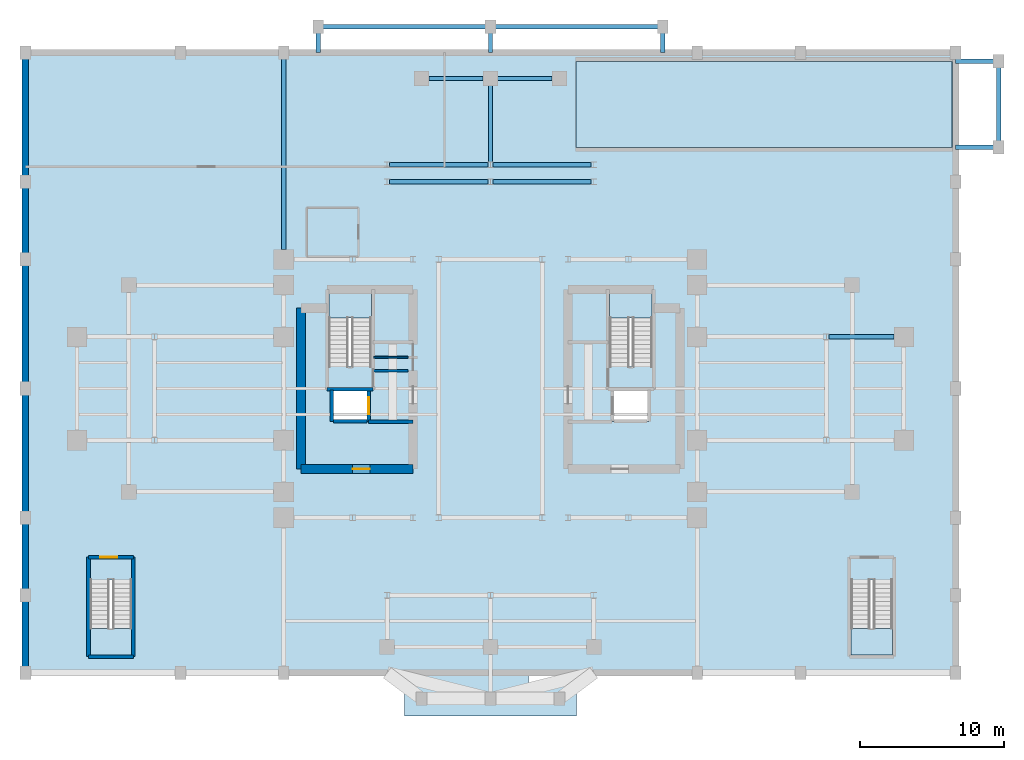
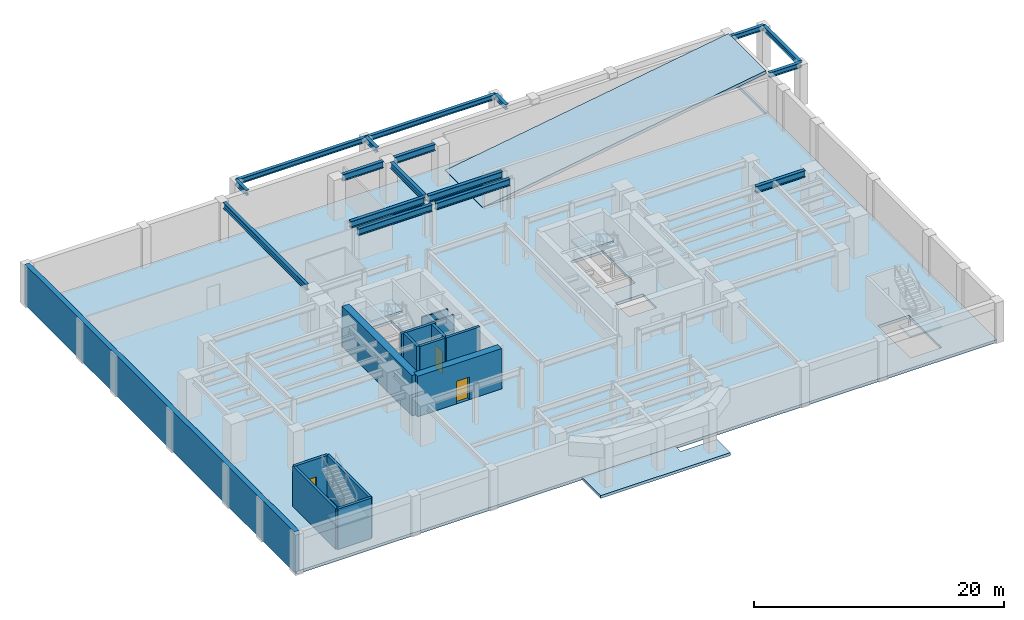
# One storey, part 4 of 9: 17 beams, 14 walls, 7 slabs, 3 doors, 3 openings, 4 elements without a shape of their own.
"""IFC4 building model written with IfcOpenShell, lengths in metres."""

from ifc_helpers import new_model, si_unit, direction, frame, frame_2d, origin, origin_2d, place, context, subcontext, project, spatial, polyline, rectangle, i_section, outline, extrude, source, transform, mapped, material, layer, layer_set, material_profile, profile_set, type_object, element, fill, aggregate, save


model = new_model("IFC4")

# Units and contexts
model_context = context("Model", 3, precision=1e-05, world=origin(), true_north=direction((0.0, 1.0)))
body_context = subcontext(model_context, "Body", "Model", "MODEL_VIEW")
ifc_project = project(units=[si_unit("LENGTHUNIT", "METRE"), si_unit("AREAUNIT", "SQUARE_METRE"), si_unit("VOLUMEUNIT", "CUBIC_METRE"), si_unit("PLANEANGLEUNIT", "RADIAN"), si_unit("MASSUNIT", "GRAM", prefix="KILO")], contexts=[model_context])

# Site, building, storey
site_placement = place(None, origin())
site = spatial("IfcSite", under=ifc_project, at=site_placement, CompositionType="ELEMENT")
building_placement = place(site_placement, origin())
building = spatial("IfcBuilding", under=site, at=building_placement, Name="Keilestroom Media Tower", CompositionType="ELEMENT")
storey_placement = place(building_placement, frame((0.0, 0.0, -4.199951171875)))
storey = spatial("IfcBuildingStorey", under=building, at=storey_placement, Name="B1", CompositionType="ELEMENT", Elevation=-4.199951171875)

# Beams
ifc_material_1 = material(Name="Steel S355", Category="steel")
ifc_material_profile_1 = material_profile(ifc_material_1, i_section(OverallWidth=0.300048828125, OverallDepth=0.5, WebThickness=0.012451171875, FlangeThickness=0.028076171875, at=origin_2d()), Name="HEB 500")
ifc_profile_set_1 = profile_set([ifc_material_profile_1], Name="Steel S355")
beam_type_1 = type_object("IfcBeamType", Name="Primary-Structural-Girder-HEB-500", PredefinedType="BEAM", material=ifc_profile_set_1)
shared_shape_1 = source(origin(), body_context, "Body", "SweptSolid", [
    extrude(i_section(OverallWidth=0.300048828125, OverallDepth=0.5, WebThickness=0.012451171875, FlangeThickness=0.028076171875, at=origin_2d()), origin(), (0.0, 0.0, 1.0), 1.800048828125),
])
for number, where, z_axis, x_axis, name in (
    (1, (-12.0, 23.39990234375, 3.7099609375), (0.0, 1.0, 0.0), (-1.0, 0.0, 0.0), "B1 Beam BG-6 BM-B1-APRON-01"),
    (2, (0.0, 23.39990234375, 3.7099609375), (0.0, 1.0, 0.0), (-1.0, 0.0, 0.0), "B1 Beam BG-6 BM-B1-APRON-02"),
    (3, (12.0, 23.39990234375, 3.7099609375), (0.0, 1.0, 0.0), (-1.0, 0.0, 0.0), "B1 Beam BG-6 BM-B1-APRON-03"),
):
    element("IfcBeam", number, at=place(storey_placement, frame(where, z_axis=z_axis, x_axis=x_axis)), inside=storey, type_object=beam_type_1, Name=name, PredefinedType="BEAM", context=body_context, shape_type="MappedRepresentation", body=[
        mapped(shared_shape_1, transform((0.0, 0.0, 0.0), x_axis=(1.0, 0.0, 0.0), y_axis=(0.0, 1.0, 0.0), z_axis=(0.0, 0.0, 1.0), scale=1.0)),
    ])
shared_shape_2 = source(origin(), body_context, "Body", "SweptSolid", [
    extrude(i_section(OverallWidth=0.300048828125, OverallDepth=0.5, WebThickness=0.012451171875, FlangeThickness=0.028076171875, at=origin_2d()), origin(), (0.0, 0.0, 1.0), 12.0),
])
for number, where, z_axis, x_axis, name in (
    (4, (-12.0, 25.199951171875, 3.7099609375), (1.0, 0.0, 0.0), (0.0, 1.0, 0.0), "B1 Beam BG-6 BM-B1-APRON-04"),
    (5, (0.0, 25.199951171875, 3.7099609375), (1.0, 0.0, 0.0), (0.0, 1.0, 0.0), "B1 Beam BG-6 BM-B1-APRON-05"),
):
    element("IfcBeam", number, at=place(storey_placement, frame(where, z_axis=z_axis, x_axis=x_axis)), inside=storey, type_object=beam_type_1, Name=name, PredefinedType="BEAM", context=body_context, shape_type="MappedRepresentation", body=[
        mapped(shared_shape_2, transform((0.0, 0.0, 0.0), x_axis=(1.0, 0.0, 0.0), y_axis=(0.0, 1.0, 0.0), z_axis=(0.0, 0.0, 1.0), scale=1.0)),
    ])
shared_shape_3 = source(origin(), body_context, "Body", "SweptSolid", [
    extrude(i_section(OverallWidth=0.300048828125, OverallDepth=0.5, WebThickness=0.012451171875, FlangeThickness=0.028076171875, at=origin_2d()), origin(), (0.0, 0.0, 1.0), 3.0),
])
for number, where, z_axis, x_axis, name in (
    (6, (32.39990234375, 16.800048828125, 3.7099609375), (1.0, 0.0, 0.0), (0.0, 1.0, 0.0), "B1 Beam BG-6 BM-B1-APRON-06"),
    (7, (32.39990234375, 22.800048828125, 3.7099609375), (1.0, 0.0, 0.0), (0.0, 1.0, 0.0), "B1 Beam BG-6 BM-B1-APRON-07"),
):
    element("IfcBeam", number, at=place(storey_placement, frame(where, z_axis=z_axis, x_axis=x_axis)), inside=storey, type_object=beam_type_1, Name=name, PredefinedType="BEAM", context=body_context, shape_type="MappedRepresentation", body=[
        mapped(shared_shape_3, transform((0.0, 0.0, 0.0), x_axis=(1.0, 0.0, 0.0), y_axis=(0.0, 1.0, 0.0), z_axis=(0.0, 0.0, 1.0), scale=1.0)),
    ])
shared_shape_4 = source(origin(), body_context, "Body", "SweptSolid", [
    extrude(i_section(OverallWidth=0.300048828125, OverallDepth=0.5, WebThickness=0.012451171875, FlangeThickness=0.028076171875, at=origin_2d()), origin(), (0.0, 0.0, 1.0), 6.0),
])
beam_1_placement = place(storey_placement, frame((35.39990234375, 16.800048828125, 3.7099609375), z_axis=(0.0, 1.0, 0.0), x_axis=(-1.0, 0.0, 0.0)))
element("IfcBeam", 8, at=beam_1_placement, inside=storey, type_object=beam_type_1, Name="B1 Beam BG-6 BM-B1-APRON-08", PredefinedType="BEAM", context=body_context, shape_type="MappedRepresentation", body=[
    mapped(shared_shape_4, transform((0.0, 0.0, 0.0), x_axis=(1.0, 0.0, 0.0), y_axis=(0.0, 1.0, 0.0), z_axis=(0.0, 0.0, 1.0), scale=1.0)),
])
ifc_material_profile_2 = material_profile(ifc_material_1, i_section(OverallWidth=0.300048828125, OverallDepth=0.64990234375, WebThickness=0.013916015625, FlangeThickness=0.031005859375, at=origin_2d()), Name="HEB 650")
ifc_profile_set_2 = profile_set([ifc_material_profile_2], Name="Steel S355")
beam_type_2 = type_object("IfcBeamType", Name="Primary-Structural-Girder-HEB-650", PredefinedType="BEAM", material=ifc_profile_set_2)
shared_shape_5 = source(origin(), body_context, "Body", "SweptSolid", [
    extrude(i_section(OverallWidth=0.300048828125, OverallDepth=0.64990234375, WebThickness=0.013916015625, FlangeThickness=0.031005859375, at=origin_2d()), origin(), (0.0, 0.0, 1.0), 6.833984375),
])
for number, where, z_axis, x_axis, name in (
    (9, (-7.01708984375, 14.39990234375, 3.625), (1.0, 0.0, 0.0), (0.0, 1.0, 0.0), "B1 Beam BG-3 BM-B1-EW-035"),
    (10, (0.18310546875, 14.39990234375, 3.625), (1.0, 0.0, 0.0), (0.0, 1.0, 0.0), "B1 Beam BG-3 BM-B1-EW-036"),
    (11, (-7.01708984375, 15.60009765625, 3.625), (1.0, 0.0, 0.0), (0.0, 1.0, 0.0), "B1 Beam BG-3 BM-B1-EW-037"),
    (12, (0.18310546875, 15.60009765625, 3.625), (1.0, 0.0, 0.0), (0.0, 1.0, 0.0), "B1 Beam BG-3 BM-B1-EW-038"),
):
    element("IfcBeam", number, at=place(storey_placement, frame(where, z_axis=z_axis, x_axis=x_axis)), inside=storey, type_object=beam_type_2, Name=name, PredefinedType="BEAM", context=body_context, shape_type="MappedRepresentation", body=[
        mapped(shared_shape_5, transform((0.0, 0.0, 0.0), x_axis=(1.0, 0.0, 0.0), y_axis=(0.0, 1.0, 0.0), z_axis=(0.0, 0.0, 1.0), scale=1.0)),
    ])
shared_shape_6 = source(origin(), body_context, "Body", "SweptSolid", [
    extrude(i_section(OverallWidth=0.300048828125, OverallDepth=0.64990234375, WebThickness=0.013916015625, FlangeThickness=0.031005859375, at=origin_2d()), origin(), (0.0, 0.0, 1.0), 4.537109375),
])
beam_2_placement = place(storey_placement, frame((23.5830078125, 3.60009765625, 3.625), z_axis=(1.0, 0.0, 0.0), x_axis=(0.0, 1.0, 0.0)))
element("IfcBeam", 13, at=beam_2_placement, inside=storey, type_object=beam_type_2, Name="B1 Beam BG-3 BM-B1-EW-025", PredefinedType="BEAM", context=body_context, shape_type="MappedRepresentation", body=[
    mapped(shared_shape_6, transform((0.0, 0.0, 0.0), x_axis=(1.0, 0.0, 0.0), y_axis=(0.0, 1.0, 0.0), z_axis=(0.0, 0.0, 1.0), scale=1.0)),
])
shared_shape_7 = source(origin(), body_context, "Body", "SweptSolid", [
    extrude(i_section(OverallWidth=0.300048828125, OverallDepth=0.64990234375, WebThickness=0.013916015625, FlangeThickness=0.031005859375, at=origin_2d()), origin(), (0.0, 0.0, 1.0), 3.7900390625),
])
for number, where, z_axis, x_axis, name in (
    (14, (-4.294921875, 21.60009765625, 3.625), (1.0, 0.0, 0.0), (0.0, 1.0, 0.0), "B1 Beam BG-3 BM-B1-EW-039"),
    (15, (0.5048828125, 21.60009765625, 3.625), (1.0, 0.0, 0.0), (0.0, 1.0, 0.0), "B1 Beam BG-3 BM-B1-EW-040"),
):
    element("IfcBeam", number, at=place(storey_placement, frame(where, z_axis=z_axis, x_axis=x_axis)), inside=storey, type_object=beam_type_2, Name=name, PredefinedType="BEAM", context=body_context, shape_type="MappedRepresentation", body=[
        mapped(shared_shape_7, transform((0.0, 0.0, 0.0), x_axis=(1.0, 0.0, 0.0), y_axis=(0.0, 1.0, 0.0), z_axis=(0.0, 0.0, 1.0), scale=1.0)),
    ])
ifc_material_profile_3 = material_profile(ifc_material_1, i_section(OverallWidth=0.300048828125, OverallDepth=0.590087890625, WebThickness=0.012939453125, FlangeThickness=0.02490234375, at=origin_2d()), Name="HEA 600")
ifc_profile_set_3 = profile_set([ifc_material_profile_3], Name="Steel S355")
beam_type_3 = type_object("IfcBeamType", Name="Primary-Structural-Girder-HEA-600", PredefinedType="BEAM", material=ifc_profile_set_3)
shared_shape_8 = source(origin(), body_context, "Body", "SweptSolid", [
    extrude(i_section(OverallWidth=0.300048828125, OverallDepth=0.590087890625, WebThickness=0.012939453125, FlangeThickness=0.02490234375, at=origin_2d()), origin(), (0.0, 0.0, 1.0), 13.26513671875),
])
beam_3_placement = place(storey_placement, frame((-14.39990234375, 9.679931640625, 3.655029296875), z_axis=(0.0, 1.0, 0.0), x_axis=(-1.0, 0.0, 0.0)))
element("IfcBeam", 16, at=beam_3_placement, inside=storey, type_object=beam_type_3, Name="B1 Beam BG-9 BM-B1-NS-060", PredefinedType="BEAM", context=body_context, shape_type="MappedRepresentation", body=[
    mapped(shared_shape_8, transform((0.0, 0.0, 0.0), x_axis=(1.0, 0.0, 0.0), y_axis=(0.0, 1.0, 0.0), z_axis=(0.0, 0.0, 1.0), scale=1.0)),
])
shared_shape_9 = source(origin(), body_context, "Body", "SweptSolid", [
    extrude(i_section(OverallWidth=0.300048828125, OverallDepth=0.590087890625, WebThickness=0.012939453125, FlangeThickness=0.02490234375, at=origin_2d()), origin(), (0.0, 0.0, 1.0), 5.306884765625),
])
beam_4_placement = place(storey_placement, frame((0.0, 15.7880859375, 3.655029296875), z_axis=(0.0, 1.0, 0.0), x_axis=(-1.0, 0.0, 0.0)))
element("IfcBeam", 17, at=beam_4_placement, inside=storey, type_object=beam_type_3, Name="B1 Beam BG-9 BM-B1-NS-069", PredefinedType="BEAM", context=body_context, shape_type="MappedRepresentation", body=[
    mapped(shared_shape_9, transform((0.0, 0.0, 0.0), x_axis=(1.0, 0.0, 0.0), y_axis=(0.0, 1.0, 0.0), z_axis=(0.0, 0.0, 1.0), scale=1.0)),
])

# Slabs
ifc_material_2 = material(Name="Concrete C50/60", Category="concrete")
ifc_layer_1 = layer(ifc_material_2, 0.280029296875)
ifc_layer_set_1 = layer_set([ifc_layer_1], Name="Concrete C50/60")
slab_type_1 = type_object("IfcSlabType", Name="Composite-Floor-Slab-280", PredefinedType="FLOOR", material=ifc_layer_set_1)
slab_1_placement = place(storey_placement, frame((0.0, 0.0, -0.280029296875)))
element("IfcSlab", 18, at=slab_1_placement, inside=storey, type_object=slab_type_1, Name="B1 South-Lobe Basement Plinth Slab", PredefinedType="FLOOR", context=body_context, shape_type="SweptSolid", body=[
    extrude(outline(polyline([(-6.0, -22.800048828125), (6.0, -22.800048828125), (6.0, -20.639892578125), (2.639892578125, -20.639892578125), (2.639892578125, -19.800048828125), (-6.0, -19.800048828125), (-6.0, -22.800048828125)])), origin(), (0.0, 0.0, 1.0), 0.280029296875),
])
slab_2_placement = place(storey_placement, frame((0.0, 0.0, -0.280029296875)))
element("IfcSlab", 19, at=slab_2_placement, inside=storey, type_object=slab_type_1, Name="B1 Structural Composite Floor Slab", PredefinedType="FLOOR", context=body_context, shape_type="SweptSolid", body=[
    extrude(outline(polyline([(-32.39990234375, -19.800048828125), (32.39990234375, -19.800048828125), (32.39990234375, 23.39990234375), (-32.39990234375, 23.39990234375), (-32.39990234375, -19.800048828125)]), holes=[polyline([(-25.0, -13.3349609375), (-25.0, -18.550048828125), (-27.8798828125, -18.550048828125), (-27.8798828125, -13.3349609375), (-25.0, -13.3349609375)]), polyline([(-8.300048828125, 1.544921875), (-11.260009765625, 1.544921875), (-11.260009765625, 6.760009765625), (-8.300048828125, 6.760009765625), (-8.300048828125, 1.544921875)]), polyline([(-8.47998046875, -2.280029296875), (-11.050048828125, -2.280029296875), (-11.050048828125, -0.10009765625), (-8.47998046875, -0.10009765625), (-8.47998046875, -2.280029296875)]), polyline([(32.199951171875, 16.800048828125), (5.919921875, 16.800048828125), (5.919921875, 22.800048828125), (32.199951171875, 22.800048828125), (32.199951171875, 16.800048828125)]), polyline([(11.260009765625, 1.544921875), (8.300048828125, 1.544921875), (8.300048828125, 6.760009765625), (11.260009765625, 6.760009765625), (11.260009765625, 1.544921875)]), polyline([(11.050048828125, -2.280029296875), (8.47998046875, -2.280029296875), (8.47998046875, -0.10009765625), (11.050048828125, -0.10009765625), (11.050048828125, -2.280029296875)]), polyline([(28.0, -18.550048828125), (25.1201171875, -18.550048828125), (25.1201171875, -13.3349609375), (28.0, -13.3349609375), (28.0, -18.550048828125)])]), origin(), (0.0, 0.0, 1.0), 0.280029296875),
])
ifc_material_3 = material(Name="Concrete C45/55", Category="concrete")
ifc_layer_2 = layer(ifc_material_3, 0.300048828125)
ifc_layer_set_2 = layer_set([ifc_layer_2], Name="Concrete C45/55")
slab_type_2 = type_object("IfcSlabType", Name="Reinforced-Concrete-Vehicle-Ramp-Slab-300", PredefinedType="FLOOR", material=ifc_layer_set_2)
slab_3_placement = place(storey_placement, frame((5.949951171875, 16.800048828125, 0.0), z_axis=(-0.158282956248, 0.0, 0.987393794674), x_axis=(0.987393794674, 0.0, 0.158282956248)))
element("IfcSlab", 20, at=slab_3_placement, inside=storey, type_object=slab_type_2, Name="B1 Car Park Structural Vehicle Ramp Slab RMP-B1", PredefinedType="FLOOR", context=body_context, shape_type="SweptSolid", body=[
    extrude(outline(polyline([(0.0, 0.0), (26.53444989546172, 0.0), (26.53444989546172, 6.0), (0.0, 6.0), (0.0, 0.0)])), origin(), (0.0, 0.0, -1.0), 0.300048828125),
])

# Stair, slab
stair_type_1 = type_object("IfcStairType", Name="Enclosed-Dog-Leg-Stair-ST-CORE", PredefinedType="HALF_TURN_STAIR", material=ifc_material_3)
stair_1_placement = place(storey_placement, origin())
stair_1 = element("IfcStair", 21, at=stair_1_placement, inside=storey, type_object=stair_type_1, Name="B1 West Core Escape Stair ST-1", PredefinedType="HALF_TURN_STAIR")
ifc_layer_3 = layer(ifc_material_3, 0.199951171875)
ifc_layer_set_3 = layer_set([ifc_layer_3], Name="Concrete C45/55")
slab_type_3 = type_object("IfcSlabType", Name="Stair-Intermediate-And-Top-Landing-Slab-200", PredefinedType="LANDING", material=ifc_layer_set_3)
slab_4_placement = place(storey_placement, frame((0.0, 0.0, 1.89990234375)))
slab_4 = element("IfcSlab", 22, at=slab_4_placement, type_object=slab_type_3, Name="ST-1 landing 1", PredefinedType="LANDING", context=body_context, shape_type="SweptSolid", body=[
    extrude(outline(polyline([(-8.300048828125, 4.931884765625), (-8.300048828125, 6.760009765625), (-11.260009765625, 6.760009765625), (-11.260009765625, 4.931884765625), (-8.300048828125, 4.931884765625)])), origin(), (0.0, 0.0, 1.0), 0.199951171875),
])
aggregate(stair_1, [slab_4])

stair_2_placement = place(storey_placement, origin())
stair_2 = element("IfcStair", 23, at=stair_2_placement, inside=storey, type_object=stair_type_1, Name="B1 East Core Escape Stair ST-2", PredefinedType="HALF_TURN_STAIR")
slab_5_placement = place(storey_placement, frame((0.0, 0.0, 1.89990234375)))
slab_5 = element("IfcSlab", 24, at=slab_5_placement, type_object=slab_type_3, Name="ST-2 landing 1", PredefinedType="LANDING", context=body_context, shape_type="SweptSolid", body=[
    extrude(outline(polyline([(11.260009765625, 4.931884765625), (11.260009765625, 6.760009765625), (8.300048828125, 6.760009765625), (8.300048828125, 4.931884765625), (11.260009765625, 4.931884765625)])), origin(), (0.0, 0.0, 1.0), 0.199951171875),
])
aggregate(stair_2, [slab_5])

stair_type_2 = type_object("IfcStairType", Name="Enclosed-Dog-Leg-Stair-ST-POD", PredefinedType="HALF_TURN_STAIR", material=ifc_material_3)
stair_3_placement = place(storey_placement, origin())
stair_3 = element("IfcStair", 25, at=stair_3_placement, inside=storey, type_object=stair_type_2, Name="B1 Podium West Studio Escape Stair ST-3", PredefinedType="HALF_TURN_STAIR")
slab_6_placement = place(storey_placement, frame((0.0, 0.0, 1.89990234375)))
slab_6 = element("IfcSlab", 26, at=slab_6_placement, type_object=slab_type_3, Name="ST-3 landing 1", PredefinedType="LANDING", context=body_context, shape_type="SweptSolid", body=[
    extrude(outline(polyline([(-27.8798828125, -16.721923828125), (-27.8798828125, -18.550048828125), (-25.0, -18.550048828125), (-25.0, -16.721923828125), (-27.8798828125, -16.721923828125)])), origin(), (0.0, 0.0, 1.0), 0.199951171875),
])
aggregate(stair_3, [slab_6])

stair_4_placement = place(storey_placement, origin())
stair_4 = element("IfcStair", 27, at=stair_4_placement, inside=storey, type_object=stair_type_2, Name="B1 Podium East Studio Escape Stair ST-4", PredefinedType="HALF_TURN_STAIR")
slab_7_placement = place(storey_placement, frame((0.0, 0.0, 1.89990234375)))
slab_7 = element("IfcSlab", 28, at=slab_7_placement, type_object=slab_type_3, Name="ST-4 landing 1", PredefinedType="LANDING", context=body_context, shape_type="SweptSolid", body=[
    extrude(outline(polyline([(25.1201171875, -16.721923828125), (25.1201171875, -18.550048828125), (28.0, -18.550048828125), (28.0, -16.721923828125), (25.1201171875, -16.721923828125)])), origin(), (0.0, 0.0, 1.0), 0.199951171875),
])
aggregate(stair_4, [slab_7])

# Walls
ifc_layer_4 = layer(ifc_material_3, 0.449951171875)
ifc_layer_set_4 = layer_set([ifc_layer_4], Name="Concrete C45/55")
wall_type_1 = type_object("IfcWallType", Name="Basement-Retaining-Wall-450", PredefinedType="USERDEFINED", material=ifc_layer_set_4)
wall_1_placement = place(storey_placement, frame((-32.39990234375, 23.39990234375, 0.0), z_axis=(0.0, 0.0, 1.0), x_axis=(0.0, -1.0, 0.0)))
element("IfcWall", 29, at=wall_1_placement, inside=storey, type_object=wall_type_1, Name="B1 Perimeter Retaining Wall W", ObjectType="RETAININGWALL", PredefinedType="USERDEFINED", context=body_context, shape_type="SweptSolid", body=[
    extrude(rectangle(XDim=43.199951171875, YDim=0.449951171875, at=frame_2d((21.60009765625, 0.0))), origin(), (0.0, 0.0, 1.0), 3.949951171875),
])
ifc_material_4 = material(Name="Gypsum Plasterboard & Steel Stud", Category="steel")
ifc_layer_5 = layer(ifc_material_4, 0.1201171875)
ifc_layer_set_5 = layer_set([ifc_layer_5], Name="Gypsum Plasterboard & Steel Stud")
wall_type_2 = type_object("IfcWallType", Name="Interior-Partition-Wall-120", PredefinedType="PARTITIONING", material=ifc_layer_set_5)
wall_2_placement = place(storey_placement, frame((-8.139892578125, 2.179931640625, 0.0), z_axis=(0.0, 0.0, 1.0), x_axis=(1.0, 0.0, 0.0)))
element("IfcWall", 30, at=wall_2_placement, inside=storey, type_object=wall_type_2, Name="B1 Interior Wall WP-B1-CNW-N", PredefinedType="PARTITIONING", context=body_context, shape_type="SweptSolid", body=[
    extrude(rectangle(XDim=2.389892578125, YDim=0.1201171875, at=frame_2d((1.19482421875, 0.0))), origin(), (0.0, 0.0, 1.0), 3.050048828125),
])
ifc_layer_6 = layer(ifc_material_4, 0.14990234375)
ifc_layer_set_6 = layer_set([ifc_layer_6], Name="Gypsum Plasterboard & Steel Stud")
wall_type_3 = type_object("IfcWallType", Name="Interior-Partition-Wall-150", PredefinedType="PARTITIONING", material=ifc_layer_set_6)
wall_3_placement = place(storey_placement, frame((-8.139892578125, 1.239990234375, 0.0), z_axis=(0.0, 0.0, 1.0), x_axis=(1.0, 0.0, 0.0)))
element("IfcWall", 31, at=wall_3_placement, inside=storey, type_object=wall_type_3, Name="B1 Interior Wall WP-B1-FFW-TOP", PredefinedType="PARTITIONING", context=body_context, shape_type="SweptSolid", body=[
    extrude(rectangle(XDim=2.389892578125, YDim=0.14990234375, at=frame_2d((1.19482421875, 0.0))), origin(), (0.0, 0.0, 1.0), 3.050048828125),
])
ifc_material_5 = material(Name="Concrete C70/85", Category="concrete")
ifc_layer_7 = layer(ifc_material_5, 0.64990234375)
ifc_layer_set_7 = layer_set([ifc_layer_7], Name="Concrete C70/85")
wall_type_4 = type_object("IfcWallType", Name="Reinforced-Concrete-Core-Shear-Wall-650", PredefinedType="SHEAR", material=ifc_layer_set_7)
wall_4_placement = place(storey_placement, frame((-13.199951171875, -5.60009765625, 0.0), z_axis=(0.0, 0.0, 1.0), x_axis=(0.0, 1.0, 0.0)))
element("IfcWall", 32, at=wall_4_placement, inside=storey, type_object=wall_type_4, Name="B1 Core Shear Wall WL-B1-CORE-W-OUT", PredefinedType="SHEAR", context=body_context, shape_type="SweptSolid", body=[
    extrude(rectangle(XDim=11.2001953125, YDim=0.64990234375, at=frame_2d((5.60009765625, 0.0))), origin(), (0.0, 0.0, 1.0), 3.949951171875),
])

# Wall, opening, door
wall_5_placement = place(storey_placement, frame((-13.199951171875, -5.60009765625, 0.0), z_axis=(0.0, 0.0, 1.0), x_axis=(1.0, 0.0, 0.0)))
wall_5 = element("IfcWall", 33, at=wall_5_placement, inside=storey, type_object=wall_type_4, Name="B1 Core Shear Wall WL-B1-CORE-W-S", PredefinedType="SHEAR", context=body_context, shape_type="SweptSolid", body=[
    extrude(rectangle(XDim=7.800048828125, YDim=0.64990234375, at=frame_2d((3.89990234375, 0.0))), origin(), (0.0, 0.0, 1.0), 3.949951171875),
])
opening_1_placement = place(wall_5_placement, frame((3.60009765625, 0.0, 0.0)))
opening_1 = element("IfcOpeningElement", 34, at=opening_1_placement, cuts=wall_5, Name="Opening DI-02", PredefinedType="OPENING", context=body_context, shape_type="SweptSolid", body=[
    extrude(rectangle(XDim=1.199951171875, YDim=2.199951171875, at=frame_2d((0.60009765625, 1.10009765625))), frame((0.0, 0.3349609375, 0.0), z_axis=(0.0, -1.0, 0.0), x_axis=(1.0, 0.0, 0.0)), (0.0, 0.0, 1.0), 0.669921875),
])
ifc_material_6 = material(Name="Powder-Coated Steel Fire Leaf", Category="steel")
door_type_1 = type_object("IfcDoorType", Name="Interior-Compartment-Fire-Door-DI-02", OperationType="NOTDEFINED", PredefinedType="DOOR", material=ifc_material_6)
shared_shape_10 = source(origin(), body_context, "Body", "SweptSolid", [
    extrude(rectangle(XDim=1.199951171875, YDim=2.199951171875, at=frame_2d((0.60009765625, 1.10009765625))), frame((0.0, 0.02490234375, 0.0), z_axis=(0.0, -1.0, 0.0), x_axis=(1.0, 0.0, 0.0)), (0.0, 0.0, 1.0), 0.050048828125),
])
door_1_placement = place(opening_1_placement, origin())
door_1 = element("IfcDoor", 35, at=door_1_placement, inside=storey, type_object=door_type_1, Name="B1 W Passenger Lift Lobby Door", OperationType="SINGLE_SWING_LEFT", OverallHeight=2.199951171875, OverallWidth=1.199951171875, PredefinedType="DOOR", context=body_context, shape_type="MappedRepresentation", body=[
    mapped(shared_shape_10, transform((0.0, 0.0, 0.0), x_axis=(1.0, 0.0, 0.0), y_axis=(0.0, 1.0, 0.0), z_axis=(0.0, 0.0, 1.0), scale=1.0)),
])
fill(opening_1, door_1)

# Walls
ifc_layer_8 = layer(ifc_material_2, 0.25)
ifc_layer_set_8 = layer_set([ifc_layer_8], Name="Concrete C50/60")
wall_type_5 = type_object("IfcWallType", Name="Reinforced-Concrete-Shaft-Wall-250", PredefinedType="SOLIDWALL", material=ifc_layer_set_8)
wall_6_placement = place(storey_placement, frame((-8.47998046875, -2.300048828125, 0.0), z_axis=(0.0, 0.0, 1.0), x_axis=(1.0, 0.0, 0.0)))
element("IfcWall", 36, at=wall_6_placement, inside=storey, type_object=wall_type_5, Name="B1 Core Shear Wall WL-B1-CORE-W-FFS", PredefinedType="SOLIDWALL", context=body_context, shape_type="SweptSolid", body=[
    extrude(rectangle(XDim=3.080078125, YDim=0.25, at=frame_2d((1.5400390625, 0.0))), origin(), (0.0, 0.0, 1.0), 3.949951171875),
])
wall_7_placement = place(storey_placement, frame((-11.381103515625, -0.041015625, 0.0), z_axis=(0.0, 0.0, 1.0), x_axis=(1.0, 0.0, 0.0)))
element("IfcWall", 37, at=wall_7_placement, inside=storey, type_object=wall_type_5, Name="B1 Core Shear Wall WL-B1-STW-W-S", PredefinedType="SOLIDWALL", context=body_context, shape_type="SweptSolid", body=[
    extrude(rectangle(XDim=3.2021484375, YDim=0.25, at=frame_2d((1.60107421875, 0.0))), origin(), (0.0, 0.0, 1.0), 3.949951171875),
])
for number, where, z_axis, x_axis, name in (
    (38, (-28.0009765625, -18.6708984375, 0.0), (0.0, 0.0, 1.0), (0.0, 1.0, 0.0), "B1 Core Shear Wall WL-B1-ST-3-W"),
    (39, (-24.87890625, -18.6708984375, 0.0), (0.0, 0.0, 1.0), (0.0, 1.0, 0.0), "B1 Core Shear Wall WL-B1-ST-3-E"),
):
    element("IfcWall", number, at=place(storey_placement, frame(where, z_axis=z_axis, x_axis=x_axis)), inside=storey, type_object=wall_type_5, Name=name, PredefinedType="SOLIDWALL", context=body_context, shape_type="SweptSolid", body=[
        extrude(rectangle(XDim=6.921875, YDim=0.25, at=frame_2d((3.4609375, 0.0))), origin(), (0.0, 0.0, 1.0), 3.949951171875),
    ])
wall_8_placement = place(storey_placement, frame((-28.0009765625, -18.6708984375, 0.0), z_axis=(0.0, 0.0, 1.0), x_axis=(1.0, 0.0, 0.0)))
element("IfcWall", 40, at=wall_8_placement, inside=storey, type_object=wall_type_5, Name="B1 Core Shear Wall WL-B1-ST-3-S", PredefinedType="SOLIDWALL", context=body_context, shape_type="SweptSolid", body=[
    extrude(rectangle(XDim=3.1220703125, YDim=0.25, at=frame_2d((1.56103515625, 0.0))), origin(), (0.0, 0.0, 1.0), 3.949951171875),
])

# Wall, opening, door
wall_9_placement = place(storey_placement, frame((-28.0009765625, -11.7490234375, 0.0), z_axis=(0.0, 0.0, 1.0), x_axis=(1.0, 0.0, 0.0)))
wall_9 = element("IfcWall", 41, at=wall_9_placement, inside=storey, type_object=wall_type_5, Name="B1 Core Shear Wall WL-B1-ST-3-N", PredefinedType="SOLIDWALL", context=body_context, shape_type="SweptSolid", body=[
    extrude(rectangle(XDim=3.1220703125, YDim=0.25, at=frame_2d((1.56103515625, 0.0))), origin(), (0.0, 0.0, 1.0), 3.949951171875),
])
opening_2_placement = place(wall_9_placement, frame((0.800048828125, 0.0, 0.0)))
opening_2 = element("IfcOpeningElement", 42, at=opening_2_placement, cuts=wall_9, Name="Opening DI-01S", PredefinedType="OPENING", context=body_context, shape_type="SweptSolid", body=[
    extrude(rectangle(XDim=1.199951171875, YDim=2.199951171875, at=frame_2d((0.60009765625, 1.10009765625))), frame((0.0, 0.135009765625, 0.0), z_axis=(0.0, -1.0, 0.0), x_axis=(1.0, 0.0, 0.0)), (0.0, 0.0, 1.0), 0.27001953125),
])
door_type_2 = type_object("IfcDoorType", Name="Interior-Stair-And-Core-Fire-Door-DI-01", OperationType="NOTDEFINED", PredefinedType="DOOR", material=ifc_material_6)
door_2_placement = place(opening_2_placement, origin())
door_2 = element("IfcDoor", 43, at=door_2_placement, inside=storey, type_object=door_type_2, Name="B1 Podium Stair ST-3 Fire Door", OperationType="SINGLE_SWING_LEFT", OverallHeight=2.199951171875, OverallWidth=1.199951171875, PredefinedType="DOOR", context=body_context, shape_type="MappedRepresentation", body=[
    mapped(shared_shape_10, transform((0.0, 0.0, 0.0), x_axis=(1.0, 0.0, 0.0), y_axis=(0.0, 1.0, 0.0), z_axis=(0.0, 0.0, 1.0), scale=1.0)),
])
fill(opening_2, door_2)

# Wall
wall_10_placement = place(storey_placement, frame((-11.050048828125, -2.280029296875, 0.0), z_axis=(0.0, 0.0, 1.0), x_axis=(0.0, 1.0, 0.0)))
element("IfcWall", 44, at=wall_10_placement, inside=storey, type_object=wall_type_5, Name="B1 Core Shear Wall WL-B1-LSH-FFL-1-W", PredefinedType="SOLIDWALL", context=body_context, shape_type="SweptSolid", body=[
    extrude(rectangle(XDim=2.179931640625, YDim=0.25, at=frame_2d((1.08984375, 0.0))), origin(), (0.0, 0.0, 1.0), 3.949951171875),
])

# Wall, opening, door
wall_11_placement = place(storey_placement, frame((-8.47998046875, -2.280029296875, 0.0), z_axis=(0.0, 0.0, 1.0), x_axis=(0.0, 1.0, 0.0)))
wall_11 = element("IfcWall", 45, at=wall_11_placement, inside=storey, type_object=wall_type_5, Name="B1 Core Shear Wall WL-B1-LSH-FFL-1-E", PredefinedType="SOLIDWALL", context=body_context, shape_type="SweptSolid", body=[
    extrude(rectangle(XDim=2.179931640625, YDim=0.25, at=frame_2d((1.08984375, 0.0))), origin(), (0.0, 0.0, 1.0), 3.949951171875),
])
opening_3_placement = place(wall_11_placement, frame((0.489990234375, 0.0, 0.0)))
opening_3 = element("IfcOpeningElement", 46, at=opening_3_placement, cuts=wall_11, Name="Opening LD-02", PredefinedType="OPENING", context=body_context, shape_type="SweptSolid", body=[
    extrude(rectangle(XDim=1.199951171875, YDim=2.199951171875, at=frame_2d((0.60009765625, 1.10009765625))), frame((0.0, 0.135009765625, 0.0), z_axis=(0.0, -1.0, 0.0), x_axis=(1.0, 0.0, 0.0)), (0.0, 0.0, 1.0), 0.27001953125),
])
ifc_material_7 = material(Name="Brushed Stainless Steel Sliding Leaf", Category="steel")
door_type_3 = type_object("IfcDoorType", Name="Lift-Landing-Sliding-Door-LD-02", OperationType="SLIDING_TO_RIGHT", PredefinedType="DOOR", material=ifc_material_7)
door_3_placement = place(opening_3_placement, origin())
door_3 = element("IfcDoor", 47, at=door_3_placement, inside=storey, type_object=door_type_3, Name="B1 Lift FFL-1 Landing Sliding Door", OperationType="SLIDING_TO_RIGHT", OverallHeight=2.199951171875, OverallWidth=1.199951171875, PredefinedType="DOOR", context=body_context, shape_type="MappedRepresentation", body=[
    mapped(shared_shape_10, transform((0.0, 0.0, 0.0), x_axis=(1.0, 0.0, 0.0), y_axis=(0.0, 1.0, 0.0), z_axis=(0.0, 0.0, 1.0), scale=1.0)),
])
fill(opening_3, door_3)

# Wall
wall_12_placement = place(storey_placement, frame((-10.9208984375, -2.280029296875, 0.0), z_axis=(0.0, 0.0, 1.0), x_axis=(1.0, 0.0, 0.0)))
element("IfcWall", 48, at=wall_12_placement, inside=storey, type_object=wall_type_5, Name="B1 Core Shear Wall WL-B1-LSH-FFL-1-S", PredefinedType="SOLIDWALL", context=body_context, shape_type="SweptSolid", body=[
    extrude(rectangle(XDim=2.31201171875, YDim=0.25, at=frame_2d((1.156005859375, 0.0))), origin(), (0.0, 0.0, 1.0), 3.949951171875),
])

save(model, "model.ifc")
